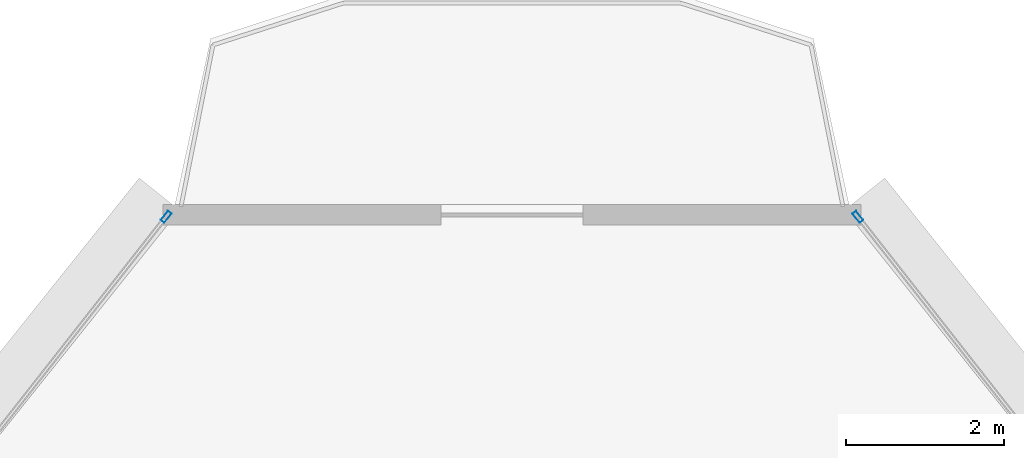
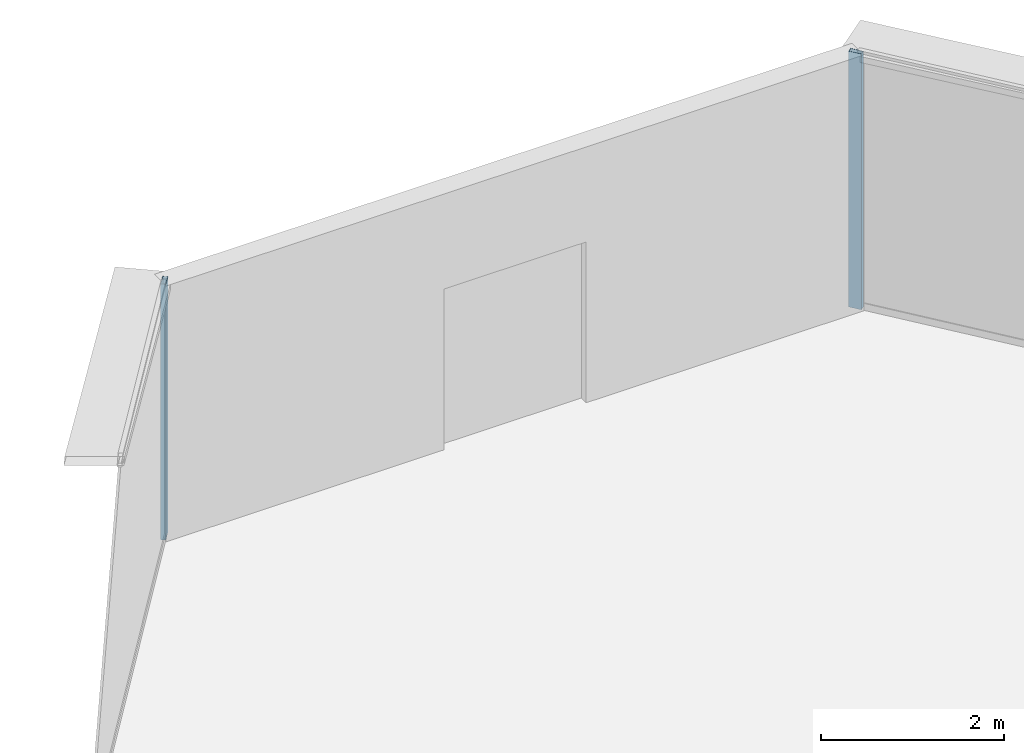
# One storey, part 29 of 39: 2 members, 2 elements without a shape of their own.
"""IFC4 building model written with IfcOpenShell, lengths in metres."""

from ifc_helpers import new_model, si_unit, direction, frame, origin, origin_2d, place, context, subcontext, project, spatial, hollow_rectangle, extrude, source, transform, mapped, material, layer, layer_set, material_profile, profile_set, type_object, element, aggregate, save


model = new_model("IFC4")

# Units and contexts
model_context = context("Model", 3, precision=1e-05, world=origin(), true_north=direction((0.0, 1.0)))
body_context = subcontext(model_context, "Body", "Model", "MODEL_VIEW")
ifc_project = project(units=[si_unit("LENGTHUNIT", "METRE"), si_unit("AREAUNIT", "SQUARE_METRE"), si_unit("VOLUMEUNIT", "CUBIC_METRE"), si_unit("PLANEANGLEUNIT", "RADIAN"), si_unit("MASSUNIT", "GRAM", prefix="KILO"), si_unit("THERMODYNAMICTEMPERATUREUNIT", "KELVIN"), si_unit("POWERUNIT", "WATT")], contexts=[model_context])

# Site, building, storey
site_placement = place(None, origin())
site = spatial("IfcSite", under=ifc_project, at=site_placement, CompositionType="ELEMENT")
building_placement = place(site_placement, origin())
building = spatial("IfcBuilding", under=site, at=building_placement, Name="Yunzhuo Pagoda Commons", CompositionType="ELEMENT")
storey_placement = place(building_placement, frame((0.0, 0.0, 140.8701171875)))
storey = spatial("IfcBuildingStorey", under=building, at=storey_placement, Name="L35", CompositionType="ELEMENT", Elevation=140.8701171875)

# Curtain wall, member
ifc_material = material(Name="Anodized aluminium 6063-T6", Category="aluminium")
ifc_layer = layer(ifc_material, 0.14990234375)
ifc_layer_set = layer_set([ifc_layer], Name="Anodized aluminium 6063-T6")
curtain_wall_type = type_object("IfcCurtainWallType", Name="CW-MID Mid-Zone Ribbon Curtain Wall", PredefinedType="NOTDEFINED", material=ifc_layer_set)
curtain_wall_1_placement = place(storey_placement, origin())
curtain_wall_1 = element("IfcCurtainWall", 1, at=curtain_wall_1_placement, inside=storey, type_object=curtain_wall_type, Name="L35 curtain wall CW-L35-F2B5", PredefinedType="NOTDEFINED")
ifc_material_profile = material_profile(ifc_material, hollow_rectangle(XDim=0.06005859375, YDim=0.14990234375, WallThickness=0.00390625, at=origin_2d()), Name="Anodized aluminium 6063-T6")
ifc_profile_set = profile_set([ifc_material_profile], Name="Anodized aluminium 6063-T6")
member_type = type_object("IfcMemberType", Name="CW-MID-M Mullion RHS 150x60x4", PredefinedType="MULLION", material=ifc_profile_set)
shared_shape = source(origin(), body_context, "Body", "SweptSolid", [
    extrude(hollow_rectangle(XDim=0.06005859375, YDim=0.14990234375, WallThickness=0.00390625, at=origin_2d()), origin(), (0.0, 0.0, 1.0), 3.419921875),
])
member_1_placement = place(storey_placement, frame((52.37451171875, 84.804931640625, 0.0), z_axis=(0.0, 0.0, 1.0), x_axis=(-0.786664694453, -0.617380481147, 0.0)))
member_1 = element("IfcMember", 2, at=member_1_placement, type_object=member_type, Name="CW mullion 2", PredefinedType="MULLION", context=body_context, shape_type="MappedRepresentation", body=[
    mapped(shared_shape, transform((0.0, 0.0, 0.0), scale=1.0)),
])
aggregate(curtain_wall_1, [member_1])

curtain_wall_2_placement = place(storey_placement, origin())
curtain_wall_2 = element("IfcCurtainWall", 3, at=curtain_wall_2_placement, inside=storey, type_object=curtain_wall_type, Name="L35 curtain wall CW-L35-F3B1", PredefinedType="NOTDEFINED")
member_2_placement = place(storey_placement, frame((43.62548828125, 84.804931640625, 0.0), z_axis=(0.0, 0.0, 1.0), x_axis=(0.786664694453, -0.617380481147, 0.0)))
member_2 = element("IfcMember", 4, at=member_2_placement, type_object=member_type, Name="CW mullion 1", PredefinedType="MULLION", context=body_context, shape_type="MappedRepresentation", body=[
    mapped(shared_shape, transform((0.0, 0.0, 0.0), scale=1.0)),
])
aggregate(curtain_wall_2, [member_2])

save(model, "model.ifc")
